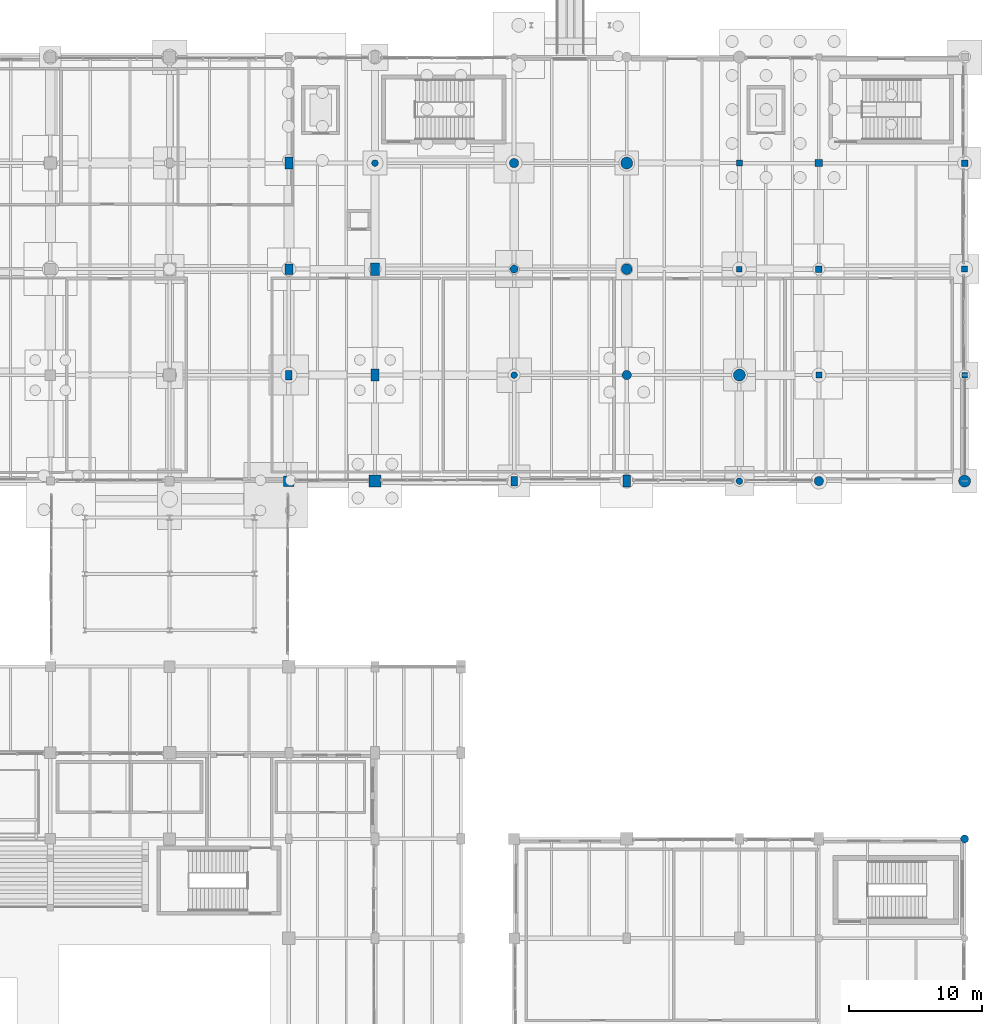
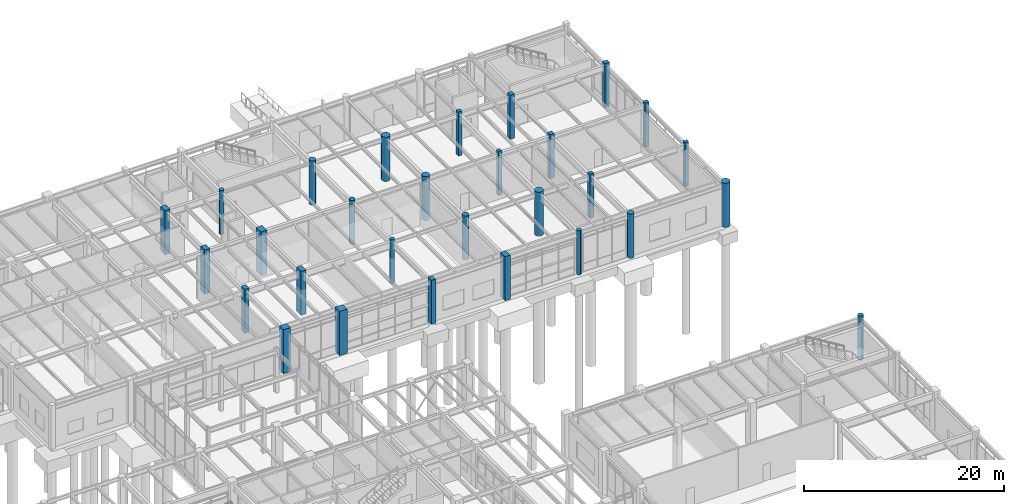
# One storey, part 22 of 203: 29 columns.
"""IFC4 building model written with IfcOpenShell, lengths in metres."""

from ifc_helpers import new_model, si_unit, direction, frame, origin, origin_2d, place, context, subcontext, project, spatial, rectangle, circle, extrude, material, material_profile, profile_set, type_object, element, save


model = new_model("IFC4")

# Units and contexts
model_context = context("Model", 3, precision=1e-05, world=origin(), true_north=direction((0.0, 1.0)))
body_context = subcontext(model_context, "Body", "Model", "MODEL_VIEW")
ifc_project = project(units=[si_unit("LENGTHUNIT", "METRE"), si_unit("AREAUNIT", "SQUARE_METRE"), si_unit("VOLUMEUNIT", "CUBIC_METRE"), si_unit("PLANEANGLEUNIT", "RADIAN"), si_unit("MASSUNIT", "GRAM", prefix="KILO"), si_unit("THERMODYNAMICTEMPERATUREUNIT", "KELVIN"), si_unit("POWERUNIT", "WATT")], contexts=[model_context])

# Site, building, storey
site_placement = place(None, origin())
site = spatial("IfcSite", under=ifc_project, at=site_placement, CompositionType="ELEMENT")
building_placement = place(site_placement, origin())
building = spatial("IfcBuilding", under=site, at=building_placement, Name="Tepalcoro Natatorium and Aquatics Centre", CompositionType="ELEMENT")
storey_placement = place(building_placement, origin())
storey = spatial("IfcBuildingStorey", under=building, at=storey_placement, Name="L00", CompositionType="ELEMENT", Elevation=0.0)

# Columns
ifc_material = material(Name="Concrete C40/50 (fc 40 MPa)", Category="concrete")
ifc_material_profile_1 = material_profile(ifc_material, rectangle(XDim=0.39990234375, YDim=0.39990234375, at=origin_2d()), Name="RC400x400")
ifc_profile_set_1 = profile_set([ifc_material_profile_1], Name="Concrete C40/50 (fc 40 MPa)")
column_type_1 = type_object("IfcColumnType", Name="COL_RC_400x400", PredefinedType="COLUMN", material=ifc_profile_set_1)
for number, where, z_axis, x_axis, name in (
    (1, (159.0, 102.0, 0.0), (0.0, 0.0, 1.0), (1.0, 0.0, 0.0), "V5 L00 Grid Column (159.0, 102.0)"),
    (2, (176.0, 94.0, 0.0), (0.0, 0.0, 1.0), (1.0, 0.0, 0.0), "V5 L00 Grid Column (176.0, 94.0)"),
):
    element("IfcColumn", number, at=place(storey_placement, frame(where, z_axis=z_axis, x_axis=x_axis)), inside=storey, type_object=column_type_1, Name=name, PredefinedType="COLUMN", context=body_context, shape_type="SweptSolid", body=[
        extrude(rectangle(XDim=0.39990234375, YDim=0.39990234375, at=origin_2d()), origin(), (0.0, 0.0, 1.0), 5.39990234375),
    ])
ifc_material_profile_2 = material_profile(ifc_material, rectangle(XDim=0.449951171875, YDim=0.449951171875, at=origin_2d()), Name="RC450x450")
ifc_profile_set_2 = profile_set([ifc_material_profile_2], Name="Concrete C40/50 (fc 40 MPa)")
column_type_2 = type_object("IfcColumnType", Name="COL_RC_450x450", PredefinedType="COLUMN", material=ifc_profile_set_2)
for number, where, z_axis, x_axis, name in (
    (3, (159.0, 110.0, 0.0), (0.0, 0.0, 1.0), (1.0, 0.0, 0.0), "V5 L00 Grid Column (159.0, 110.0)"),
    (4, (165.0, 94.0, 0.0), (0.0, 0.0, 1.0), (1.0, 0.0, 0.0), "V5 L00 Grid Column (165.0, 94.0)"),
    (5, (176.0, 102.0, 0.0), (0.0, 0.0, 1.0), (1.0, 0.0, 0.0), "V5 L00 Grid Column (176.0, 102.0)"),
):
    element("IfcColumn", number, at=place(storey_placement, frame(where, z_axis=z_axis, x_axis=x_axis)), inside=storey, type_object=column_type_2, Name=name, PredefinedType="COLUMN", context=body_context, shape_type="SweptSolid", body=[
        extrude(rectangle(XDim=0.449951171875, YDim=0.449951171875, at=origin_2d()), origin(), (0.0, 0.0, 1.0), 5.39990234375),
    ])
ifc_material_profile_3 = material_profile(ifc_material, rectangle(XDim=0.5, YDim=0.5, at=origin_2d()), Name="RC500x500")
ifc_profile_set_3 = profile_set([ifc_material_profile_3], Name="Concrete C40/50 (fc 40 MPa)")
column_type_3 = type_object("IfcColumnType", Name="COL_RC_500x500", PredefinedType="COLUMN", material=ifc_profile_set_3)
for number, where, z_axis, x_axis, name in (
    (6, (165.0, 102.0, 0.0), (0.0, 0.0, 1.0), (1.0, 0.0, 0.0), "V5 L00 Grid Column (165.0, 102.0)"),
    (7, (176.0, 110.0, 0.0), (0.0, 0.0, 1.0), (1.0, 0.0, 0.0), "V5 L00 Grid Column (176.0, 110.0)"),
):
    element("IfcColumn", number, at=place(storey_placement, frame(where, z_axis=z_axis, x_axis=x_axis)), inside=storey, type_object=column_type_3, Name=name, PredefinedType="COLUMN", context=body_context, shape_type="SweptSolid", body=[
        extrude(rectangle(XDim=0.5, YDim=0.5, at=origin_2d()), origin(), (0.0, 0.0, 1.0), 5.39990234375),
    ])
ifc_material_profile_4 = material_profile(ifc_material, rectangle(XDim=0.5, YDim=0.699951171875, at=origin_2d()), Name="RC500x700")
ifc_profile_set_4 = profile_set([ifc_material_profile_4], Name="Concrete C40/50 (fc 40 MPa)")
column_type_4 = type_object("IfcColumnType", Name="COL_RC_500x700", PredefinedType="COLUMN", material=ifc_profile_set_4)
for number, where, z_axis, x_axis, name in (
    (8, (125.0, 94.0, 0.0), (0.0, 0.0, 1.0), (1.0, 0.0, 0.0), "V5 L00 Grid Column (125.0, 94.0)"),
    (9, (142.0, 86.0, 0.0), (0.0, 0.0, 1.0), (1.0, 0.0, 0.0), "V5 L00 Grid Column (142.0, 86.0)"),
):
    element("IfcColumn", number, at=place(storey_placement, frame(where, z_axis=z_axis, x_axis=x_axis)), inside=storey, type_object=column_type_4, Name=name, PredefinedType="COLUMN", context=body_context, shape_type="SweptSolid", body=[
        extrude(rectangle(XDim=0.5, YDim=0.699951171875, at=origin_2d()), origin(), (0.0, 0.0, 1.0), 5.39990234375),
    ])
ifc_material_profile_5 = material_profile(ifc_material, rectangle(XDim=0.550048828125, YDim=0.550048828125, at=origin_2d()), Name="RC550x550")
ifc_profile_set_5 = profile_set([ifc_material_profile_5], Name="Concrete C40/50 (fc 40 MPa)")
column_type_5 = type_object("IfcColumnType", Name="COL_RC_550x550", PredefinedType="COLUMN", material=ifc_profile_set_5)
column_1_placement = place(storey_placement, frame((165.0, 110.0, 0.0), z_axis=(0.0, 0.0, 1.0), x_axis=(1.0, 0.0, 0.0)))
element("IfcColumn", 10, at=column_1_placement, inside=storey, type_object=column_type_5, Name="V5 L00 Grid Column (165.0, 110.0)", PredefinedType="COLUMN", context=body_context, shape_type="SweptSolid", body=[
    extrude(rectangle(XDim=0.550048828125, YDim=0.550048828125, at=origin_2d()), origin(), (0.0, 0.0, 1.0), 5.39990234375),
])
ifc_material_profile_6 = material_profile(ifc_material, rectangle(XDim=0.60009765625, YDim=0.800048828125, at=origin_2d()), Name="RC600x800")
ifc_profile_set_6 = profile_set([ifc_material_profile_6], Name="Concrete C40/50 (fc 40 MPa)")
column_type_6 = type_object("IfcColumnType", Name="COL_RC_600x800", PredefinedType="COLUMN", material=ifc_profile_set_6)
column_2_placement = place(storey_placement, frame((125.0, 102.0, 0.0), z_axis=(0.0, 0.0, 1.0), x_axis=(1.0, 0.0, 0.0)))
element("IfcColumn", 11, at=column_2_placement, inside=storey, type_object=column_type_6, Name="V5 L00 Grid Column (125.0, 102.0)", PredefinedType="COLUMN", context=body_context, shape_type="SweptSolid", body=[
    extrude(rectangle(XDim=0.60009765625, YDim=0.800048828125, at=origin_2d()), origin(), (0.0, 0.0, 1.0), 5.39990234375),
])
ifc_material_profile_7 = material_profile(ifc_material, rectangle(XDim=0.60009765625, YDim=0.89990234375, at=origin_2d()), Name="RC600x900")
ifc_profile_set_7 = profile_set([ifc_material_profile_7], Name="Concrete C40/50 (fc 40 MPa)")
column_type_7 = type_object("IfcColumnType", Name="COL_RC_600x900", PredefinedType="COLUMN", material=ifc_profile_set_7)
for number, where, z_axis, x_axis, name in (
    (12, (125.0, 110.0, 0.0), (0.0, 0.0, 1.0), (1.0, 0.0, 0.0), "V5 L00 Grid Column (125.0, 110.0)"),
    (13, (131.5, 94.0, 0.0), (0.0, 0.0, 1.0), (1.0, 0.0, 0.0), "V5 L00 Grid Column (131.5, 94.0)"),
    (14, (150.5, 86.0, 0.0), (0.0, 0.0, 1.0), (1.0, 0.0, 0.0), "V5 L00 Grid Column (150.5, 86.0)"),
):
    element("IfcColumn", number, at=place(storey_placement, frame(where, z_axis=z_axis, x_axis=x_axis)), inside=storey, type_object=column_type_7, Name=name, PredefinedType="COLUMN", context=body_context, shape_type="SweptSolid", body=[
        extrude(rectangle(XDim=0.60009765625, YDim=0.89990234375, at=origin_2d()), origin(), (0.0, 0.0, 1.0), 5.39990234375),
    ])
ifc_material_profile_8 = material_profile(ifc_material, rectangle(XDim=0.699951171875, YDim=0.949951171875, at=origin_2d()), Name="RC700x950")
ifc_profile_set_8 = profile_set([ifc_material_profile_8], Name="Concrete C40/50 (fc 40 MPa)")
column_type_8 = type_object("IfcColumnType", Name="COL_RC_700x950", PredefinedType="COLUMN", material=ifc_profile_set_8)
column_3_placement = place(storey_placement, frame((131.5, 102.0, 0.0), z_axis=(0.0, 0.0, 1.0), x_axis=(1.0, 0.0, 0.0)))
element("IfcColumn", 15, at=column_3_placement, inside=storey, type_object=column_type_8, Name="V5 L00 Grid Column (131.5, 102.0)", PredefinedType="COLUMN", context=body_context, shape_type="SweptSolid", body=[
    extrude(rectangle(XDim=0.699951171875, YDim=0.949951171875, at=origin_2d()), origin(), (0.0, 0.0, 1.0), 5.39990234375),
])
ifc_material_profile_9 = material_profile(ifc_material, rectangle(XDim=0.800048828125, YDim=0.800048828125, at=origin_2d()), Name="RC800x800")
ifc_profile_set_9 = profile_set([ifc_material_profile_9], Name="Concrete C40/50 (fc 40 MPa)")
column_type_9 = type_object("IfcColumnType", Name="COL_RC_800x800", PredefinedType="COLUMN", material=ifc_profile_set_9)
column_4_placement = place(storey_placement, frame((125.0, 86.0, 0.0), z_axis=(0.0, 0.0, 1.0), x_axis=(1.0, 0.0, 0.0)))
element("IfcColumn", 16, at=column_4_placement, inside=storey, type_object=column_type_9, Name="V5 L00 Grid Column (125.0, 86.0)", PredefinedType="COLUMN", context=body_context, shape_type="SweptSolid", body=[
    extrude(rectangle(XDim=0.800048828125, YDim=0.800048828125, at=origin_2d()), origin(), (0.0, 0.0, 1.0), 5.39990234375),
])
ifc_material_profile_10 = material_profile(ifc_material, rectangle(XDim=0.89990234375, YDim=0.89990234375, at=origin_2d()), Name="RC900x900")
ifc_profile_set_10 = profile_set([ifc_material_profile_10], Name="Concrete C40/50 (fc 40 MPa)")
column_type_10 = type_object("IfcColumnType", Name="COL_RC_900x900", PredefinedType="COLUMN", material=ifc_profile_set_10)
column_5_placement = place(storey_placement, frame((131.5, 86.0, 0.0), z_axis=(0.0, 0.0, 1.0), x_axis=(1.0, 0.0, 0.0)))
element("IfcColumn", 17, at=column_5_placement, inside=storey, type_object=column_type_10, Name="V5 L00 Grid Column (131.5, 86.0)", PredefinedType="COLUMN", context=body_context, shape_type="SweptSolid", body=[
    extrude(rectangle(XDim=0.89990234375, YDim=0.89990234375, at=origin_2d()), origin(), (0.0, 0.0, 1.0), 5.39990234375),
])
ifc_material_profile_11 = material_profile(ifc_material, circle(Radius=0.25, at=origin_2d()), Name="RCD500")
ifc_profile_set_11 = profile_set([ifc_material_profile_11], Name="Concrete C40/50 (fc 40 MPa)")
column_type_11 = type_object("IfcColumnType", Name="COL_RC_D500", PredefinedType="COLUMN", material=ifc_profile_set_11)
for number, where, z_axis, x_axis, name in (
    (18, (131.5, 110.0, 0.0), (0.0, 0.0, 1.0), (1.0, 0.0, 0.0), "V5 L00 Grid Column (131.5, 110.0)"),
    (19, (142.0, 94.0, 0.0), (0.0, 0.0, 1.0), (1.0, 0.0, 0.0), "V5 L00 Grid Column (142.0, 94.0)"),
    (20, (159.0, 86.0, 0.0), (0.0, 0.0, 1.0), (1.0, 0.0, 0.0), "V5 L00 Grid Column (159.0, 86.0)"),
):
    element("IfcColumn", number, at=place(storey_placement, frame(where, z_axis=z_axis, x_axis=x_axis)), inside=storey, type_object=column_type_11, Name=name, PredefinedType="COLUMN", context=body_context, shape_type="SweptSolid", body=[
        extrude(circle(Radius=0.25, at=origin_2d()), origin(), (0.0, 0.0, 1.0), 5.39990234375),
    ])
ifc_material_profile_12 = material_profile(ifc_material, circle(Radius=0.300048828125, at=origin_2d()), Name="RCD600")
ifc_profile_set_12 = profile_set([ifc_material_profile_12], Name="Concrete C40/50 (fc 40 MPa)")
column_type_12 = type_object("IfcColumnType", Name="COL_RC_D600", PredefinedType="COLUMN", material=ifc_profile_set_12)
for number, where, z_axis, x_axis, name in (
    (21, (176.0, 59.0, 0.0), (0.0, 0.0, 1.0), (1.0, 0.0, 0.0), "V2 L00 Grid Column (176.0, 59.0)"),
    (22, (142.0, 102.0, 0.0), (0.0, 0.0, 1.0), (1.0, 0.0, 0.0), "V5 L00 Grid Column (142.0, 102.0)"),
):
    element("IfcColumn", number, at=place(storey_placement, frame(where, z_axis=z_axis, x_axis=x_axis)), inside=storey, type_object=column_type_12, Name=name, PredefinedType="COLUMN", context=body_context, shape_type="SweptSolid", body=[
        extrude(circle(Radius=0.300048828125, at=origin_2d()), origin(), (0.0, 0.0, 1.0), 5.39990234375),
    ])
ifc_material_profile_13 = material_profile(ifc_material, circle(Radius=0.35009765625, at=origin_2d()), Name="RCD700")
ifc_profile_set_13 = profile_set([ifc_material_profile_13], Name="Concrete C40/50 (fc 40 MPa)")
column_type_13 = type_object("IfcColumnType", Name="COL_RC_D700", PredefinedType="COLUMN", material=ifc_profile_set_13)
for number, where, z_axis, x_axis, name in (
    (23, (142.0, 110.0, 0.0), (0.0, 0.0, 1.0), (1.0, 0.0, 0.0), "V5 L00 Grid Column (142.0, 110.0)"),
    (24, (150.5, 94.0, 0.0), (0.0, 0.0, 1.0), (1.0, 0.0, 0.0), "V5 L00 Grid Column (150.5, 94.0)"),
    (25, (165.0, 86.0, 0.0), (0.0, 0.0, 1.0), (1.0, 0.0, 0.0), "V5 L00 Grid Column (165.0, 86.0)"),
):
    element("IfcColumn", number, at=place(storey_placement, frame(where, z_axis=z_axis, x_axis=x_axis)), inside=storey, type_object=column_type_13, Name=name, PredefinedType="COLUMN", context=body_context, shape_type="SweptSolid", body=[
        extrude(circle(Radius=0.35009765625, at=origin_2d()), origin(), (0.0, 0.0, 1.0), 5.39990234375),
    ])
ifc_material_profile_14 = material_profile(ifc_material, circle(Radius=0.39990234375, at=origin_2d()), Name="RCD800")
ifc_profile_set_14 = profile_set([ifc_material_profile_14], Name="Concrete C40/50 (fc 40 MPa)")
column_type_14 = type_object("IfcColumnType", Name="COL_RC_D800", PredefinedType="COLUMN", material=ifc_profile_set_14)
column_6_placement = place(storey_placement, frame((150.5, 102.0, 0.0), z_axis=(0.0, 0.0, 1.0), x_axis=(1.0, 0.0, 0.0)))
element("IfcColumn", 26, at=column_6_placement, inside=storey, type_object=column_type_14, Name="V5 L00 Grid Column (150.5, 102.0)", PredefinedType="COLUMN", context=body_context, shape_type="SweptSolid", body=[
    extrude(circle(Radius=0.39990234375, at=origin_2d()), origin(), (0.0, 0.0, 1.0), 5.39990234375),
])
ifc_material_profile_15 = material_profile(ifc_material, circle(Radius=0.449951171875, at=origin_2d()), Name="RCD900")
ifc_profile_set_15 = profile_set([ifc_material_profile_15], Name="Concrete C40/50 (fc 40 MPa)")
column_type_15 = type_object("IfcColumnType", Name="COL_RC_D900", PredefinedType="COLUMN", material=ifc_profile_set_15)
for number, where, z_axis, x_axis, name in (
    (27, (150.5, 110.0, 0.0), (0.0, 0.0, 1.0), (1.0, 0.0, 0.0), "V5 L00 Grid Column (150.5, 110.0)"),
    (28, (159.0, 94.0, 0.0), (0.0, 0.0, 1.0), (1.0, 0.0, 0.0), "V5 L00 Grid Column (159.0, 94.0)"),
    (29, (176.0, 86.0, 0.0), (0.0, 0.0, 1.0), (1.0, 0.0, 0.0), "V5 L00 Grid Column (176.0, 86.0)"),
):
    element("IfcColumn", number, at=place(storey_placement, frame(where, z_axis=z_axis, x_axis=x_axis)), inside=storey, type_object=column_type_15, Name=name, PredefinedType="COLUMN", context=body_context, shape_type="SweptSolid", body=[
        extrude(circle(Radius=0.449951171875, at=origin_2d()), origin(), (0.0, 0.0, 1.0), 5.39990234375),
    ])

save(model, "model.ifc")
